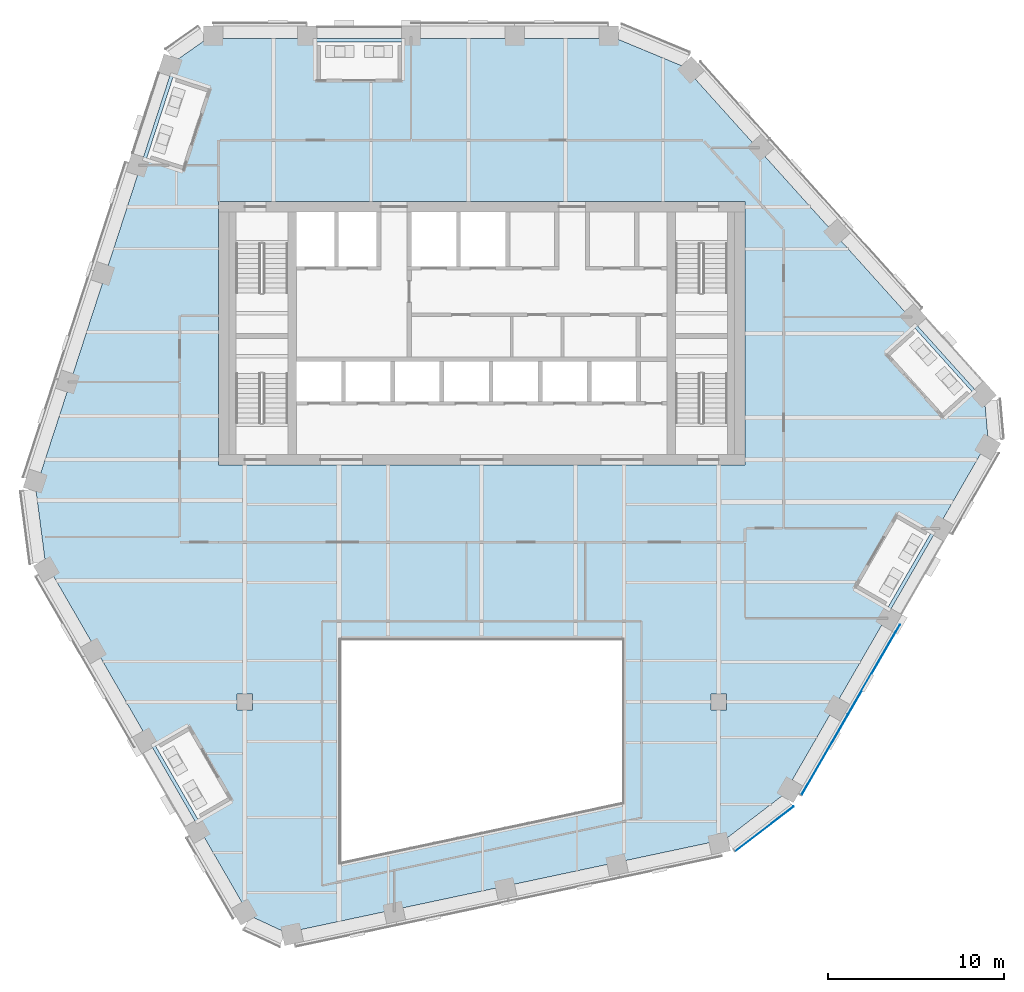
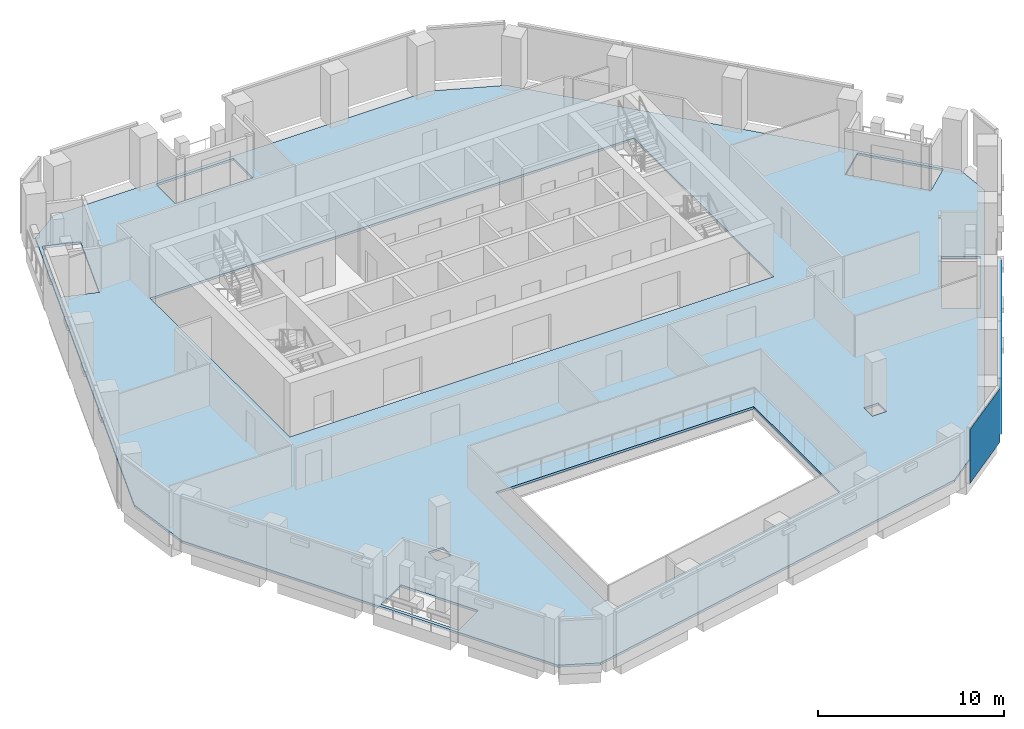
# One storey, part 12 of 25: 3 plates, 1 slab, 2 elements without a shape of their own.
"""IFC4 building model written with IfcOpenShell, lengths in metres."""

import ifcopenshell
import ifcopenshell.guid

model = None  # the IFC model being written
_history = None  # IfcOwnerHistory: only IFC2X3 demands one
_inside = {}  # id of a spatial element -> (the spatial element, [elements in it])
_under = {}  # id of a project, library or spatial element -> (it, [spatial elements below it])
_declared = {}  # id of a project -> (the project, [libraries it declares])
_typed = {}  # id of a type object -> (the type object, [elements of that type])
_made_of = {}  # id of a material, layer set ... -> (it, [elements and type objects made of it])


def new_model(schema):
    """Start an empty IFC model of exactly this schema.

    Asked for "IFC4X3", IfcOpenShell would pick the latest addendum, in which some entities
    have other attributes; the version numbers below select the first issue.
    IFC2X3 requires an IfcOwnerHistory on every rooted entity: one is made here for all.
    """
    global model, _history
    if schema == "IFC4X3":
        model = ifcopenshell.file(schema_version=(4, 3, 0, 0))
    else:
        model = ifcopenshell.file(schema=schema)
    _inside.clear()
    _under.clear()
    _declared.clear()
    _typed.clear()
    _made_of.clear()
    _history = None
    if model.schema == "IFC2X3":
        org = make("IfcOrganization", Name="unknown")
        user = make(
            "IfcPersonAndOrganization",
            ThePerson=make("IfcPerson", FamilyName="unknown"),
            TheOrganization=org,
        )
        app = make(
            "IfcApplication",
            ApplicationDeveloper=org,
            Version="unknown",
            ApplicationFullName="unknown",
            ApplicationIdentifier="unknown",
        )
        _history = make(
            "IfcOwnerHistory",
            OwningUser=user,
            OwningApplication=app,
            ChangeAction="ADDED",
            CreationDate=0,
        )
    return model


def make(cls, **values):
    """One entity of the class cls with the attributes given. An attribute that is None is left unset."""
    return model.create_entity(
        cls, **{name: value for name, value in values.items() if value is not None}
    )


def rooted(cls, **values):
    """An entity with a GlobalId (a new one), such as an element, a storey or a relation."""
    return make(cls, GlobalId=ifcopenshell.guid.new(), OwnerHistory=_history, **values)


def si_unit(unit_type, name, prefix=None):
    """IfcSIUnit, for example si_unit("LENGTHUNIT", "METRE", prefix="MILLI")."""
    return make("IfcSIUnit", UnitType=unit_type, Prefix=prefix, Name=name)


def assignment(units):
    """IfcUnitAssignment: the units of a project."""
    return None if units is None else make("IfcUnitAssignment", Units=units)


def point(xyz):
    """IfcCartesianPoint."""
    return None if xyz is None else make("IfcCartesianPoint", Coordinates=xyz)


def direction(xyz):
    """IfcDirection."""
    return None if xyz is None else make("IfcDirection", DirectionRatios=xyz)


def frame(location, z_axis=None, x_axis=None):
    """IfcAxis2Placement3D, a coordinate frame: its origin and axes. An axis left out is left unset."""
    return make(
        "IfcAxis2Placement3D",
        Location=point(location),
        Axis=direction(z_axis),
        RefDirection=direction(x_axis),
    )


def frame_2d(location, x_axis=None):
    """IfcAxis2Placement2D, a coordinate frame in the plane: its origin and x axis."""
    return make(
        "IfcAxis2Placement2D", Location=point(location), RefDirection=direction(x_axis)
    )


def origin():
    """The frame at (0, 0, 0) with its axes left unset."""
    return frame((0.0, 0.0, 0.0))


def origin_2d():
    """The frame at (0, 0) in the plane with its x axis left unset."""
    return frame_2d((0.0, 0.0))


def place(relative_to, where):
    """IfcLocalPlacement: puts the frame where relative to a parent placement (None: the world)."""
    return make(
        "IfcLocalPlacement", PlacementRelTo=relative_to, RelativePlacement=where
    )


def context(
    kind, dimensions, precision=None, world=None, true_north=None, identifier=None
):
    """IfcGeometricRepresentationContext, for example the 3D "Model" context."""
    return make(
        "IfcGeometricRepresentationContext",
        ContextIdentifier=identifier,
        ContextType=kind,
        CoordinateSpaceDimension=dimensions,
        Precision=precision,
        WorldCoordinateSystem=world,
        TrueNorth=true_north,
    )


def subcontext(parent, identifier, kind, view, scale=None):
    """IfcGeometricRepresentationSubContext, for example "Body" below "Model"."""
    return make(
        "IfcGeometricRepresentationSubContext",
        ContextIdentifier=identifier,
        ContextType=kind,
        ParentContext=parent,
        TargetScale=scale,
        TargetView=view,
    )


def project(units=None, contexts=None):
    """IfcProject with its units and contexts."""
    return rooted(
        "IfcProject",
        Name="project",
        RepresentationContexts=contexts,
        UnitsInContext=assignment(units),
    )


def spatial(cls, under=None, at=None, **own):
    """A site, building, storey or space (cls), placed at a placement, below another one or the project."""
    s = rooted(cls, ObjectPlacement=at, **own)
    if under is not None:
        _under.setdefault(under.id(), (under, []))[1].append(s)
    return s


def polyline(points):
    """IfcPolyline through the points."""
    return make("IfcPolyline", Points=[point(p) for p in points])


def profile(cls, at=None, kind="AREA", **sizes):
    """A parametric profile (cls). Its sizes go by their IFC names, for example OverallWidth=200.0."""
    return make(cls, ProfileType=kind, Position=at, **sizes)


def rectangle(**sizes):
    """IfcRectangleProfileDef."""
    return profile("IfcRectangleProfileDef", **sizes)


def outline(outer, holes=None, kind="AREA"):
    """IfcArbitraryClosedProfileDef: a profile drawn as a closed curve; with holes, ...WithVoids."""
    if holes is None:
        return make("IfcArbitraryClosedProfileDef", ProfileType=kind, OuterCurve=outer)
    return make(
        "IfcArbitraryProfileDefWithVoids",
        ProfileType=kind,
        OuterCurve=outer,
        InnerCurves=holes,
    )


def extrude(swept, where, along, depth):
    """IfcExtrudedAreaSolid: the profile swept, set in the frame where, extruded along a direction by depth."""
    return make(
        "IfcExtrudedAreaSolid",
        SweptArea=swept,
        Position=where,
        ExtrudedDirection=direction(along),
        Depth=depth,
    )


def shape(context_of_items, identifier, shape_type, items):
    """IfcShapeRepresentation: the items that make up one representation, for example the "Body"."""
    return make(
        "IfcShapeRepresentation",
        ContextOfItems=context_of_items,
        RepresentationIdentifier=identifier,
        RepresentationType=shape_type,
        Items=items,
    )


def material(Name=None, Category=None):
    """IfcMaterial."""
    return make("IfcMaterial", Name=Name, Category=Category)


def layer(
    of_material, thickness, ventilated=None, Name=None, Category=None, Priority=None
):
    """IfcMaterialLayer: one layer of a wall or slab, of a material (None: an air gap)."""
    return make(
        "IfcMaterialLayer",
        Material=of_material,
        LayerThickness=thickness,
        IsVentilated=ventilated,
        Name=Name,
        Category=Category,
        Priority=Priority,
    )


def layer_set(layers, Name=None):
    """IfcMaterialLayerSet."""
    return make("IfcMaterialLayerSet", MaterialLayers=layers, LayerSetName=Name)


def made_of(thing, what):
    """Note that an element or type object is made of a material, layer set ...; save() writes the relation."""
    if what is not None:
        _made_of.setdefault(what.id(), (what, []))[1].append(thing)
    return thing


def type_object(cls, material=None, **own):
    """A type object (cls), such as IfcWallType, which elements share."""
    return made_of(rooted(cls, **own), material)


def element(
    cls,
    number,
    at=None,
    inside=None,
    cuts=None,
    type_object=None,
    material=None,
    context=None,
    identifier="Body",
    shape_type=None,
    held_by="IfcProductDefinitionShape",
    body=None,
    shapes=None,
    **own,
):
    """One element of the class cls, such as IfcWall. Its Tag is "e" and its number.

    at: its placement. inside: the storey or other place that contains it. cuts: it is an
    opening in that element (IfcRelVoidsElement). A single representation is given by context,
    identifier, shape_type and body (its items); several are given by shapes. held_by: the class
    of the entity that holds the representations. save() writes the other relations.
    """
    e = rooted(cls, Tag="e%d" % number, ObjectPlacement=at, **own)
    if body is not None:
        shapes = [shape(context, identifier, shape_type, body)]
    if shapes is not None:
        e.Representation = make(held_by, Representations=shapes)
    if inside is not None:
        _inside.setdefault(inside.id(), (inside, []))[1].append(e)
    if cuts is not None:
        rooted(
            "IfcRelVoidsElement", RelatingBuildingElement=cuts, RelatedOpeningElement=e
        )
    if type_object is not None:
        _typed.setdefault(type_object.id(), (type_object, []))[1].append(e)
    return made_of(e, material)


def aggregate(whole, parts):
    """IfcRelAggregates: a whole, such as a stair, and the parts it consists of."""
    return rooted("IfcRelAggregates", RelatingObject=whole, RelatedObjects=parts)


def save(model, path):
    """Write the relations noted so far, then the file.

    IfcRelAggregates (storeys below a building ...), IfcRelContainedInSpatialStructure (elements
    in a storey), IfcRelDefinesByType, IfcRelAssociatesMaterial and IfcRelDeclares: one each for
    every whole, place, type object, material and project.
    """
    for whole, parts in _under.values():
        aggregate(whole, parts)
    for where, things in _inside.values():
        rooted(
            "IfcRelContainedInSpatialStructure",
            RelatedElements=things,
            RelatingStructure=where,
        )
    for kind, things in _typed.values():
        rooted("IfcRelDefinesByType", RelatedObjects=things, RelatingType=kind)
    for what, things in _made_of.values():
        rooted("IfcRelAssociatesMaterial", RelatedObjects=things, RelatingMaterial=what)
    for by, libraries in _declared.values():
        rooted("IfcRelDeclares", RelatingContext=by, RelatedDefinitions=libraries)
    model.write(path)


model = new_model("IFC4")

# Units and contexts
model_context = context("Model", 3, precision=1e-05, world=origin(), true_north=direction((0.0, 1.0)))
body_context = subcontext(model_context, "Body", "Model", "MODEL_VIEW")
ifc_project = project(units=[si_unit("LENGTHUNIT", "METRE"), si_unit("AREAUNIT", "SQUARE_METRE"), si_unit("VOLUMEUNIT", "CUBIC_METRE"), si_unit("PLANEANGLEUNIT", "RADIAN"), si_unit("MASSUNIT", "GRAM", prefix="KILO")], contexts=[model_context])

# Site, building, storey
site_placement = place(None, origin())
site = spatial("IfcSite", under=ifc_project, at=site_placement, CompositionType="ELEMENT")
building_placement = place(site_placement, origin())
building = spatial("IfcBuilding", under=site, at=building_placement, Name="Isthmus Gate Tower", CompositionType="ELEMENT")
storey_placement = place(building_placement, frame((0.0, 0.0, 249.14990234375)))
storey = spatial("IfcBuildingStorey", under=building, at=storey_placement, Name="L63", CompositionType="ELEMENT", Elevation=249.14990234375)

# Slab
ifc_material_1 = material(Name="Concrete f'c 40 MPa", Category="concrete")
ifc_layer_1 = layer(ifc_material_1, 0.14990234375)
ifc_layer_set_1 = layer_set([ifc_layer_1], Name="COMPOSITE FLOOR SLAB 150")
slab_type = type_object("IfcSlabType", Name="COMPOSITE FLOOR SLAB 150", PredefinedType="FLOOR", material=ifc_layer_set_1)
slab_placement = place(storey_placement, frame((0.0, 0.0, -0.14990234375)))
element("IfcSlab", 1, at=slab_placement, inside=storey, type_object=slab_type, Name="str-slab-L63-1", PredefinedType="FLOOR", context=body_context, shape_type="SweptSolid", body=[
    extrude(outline(polyline([(11.539794921875, 22.68310546875), (28.65380859375, 3.67626953125), (28.859375, 1.3857421875), (17.21875, -18.7763671875), (13.874267578125, -21.335205078125), (-11.143310546875, -26.65283203125), (-13.2294921875, -25.685791015625), (-24.8701171875, -5.523681640625), (-25.4140625, -1.347900390625), (-17.510498046875, 22.976806640625), (-15.629638671875, 24.300048828125), (7.6513671875, 24.300048828125), (11.539794921875, 22.68310546875)]), holes=[polyline([(-14.357177734375, -19.132568359375), (-16.762451171875, -14.966552734375), (-18.581298828125, -16.0166015625), (-16.17578125, -20.1826171875), (-14.357177734375, -19.132568359375)]), polyline([(8.0, -10.0), (-8.0, -10.0), (-8.0, -22.611083984375), (8.0, -19.210205078125), (8.0, -10.0)]), polyline([(-13.050048828125, -13.050048828125), (-13.949951171875, -13.050048828125), (-13.949951171875, -13.949951171875), (-13.050048828125, -13.949951171875), (-13.050048828125, -13.050048828125)]), polyline([(13.949951171875, -13.050048828125), (13.050048828125, -13.050048828125), (13.050048828125, -13.949951171875), (13.949951171875, -13.949951171875), (13.949951171875, -13.050048828125)]), polyline([(23.747802734375, -2.867431640625), (21.342529296875, -7.033447265625), (23.161376953125, -8.08349609375), (25.566650390625, -3.91748046875), (23.747802734375, -2.867431640625)]), polyline([(23.124755859375, 6.37939453125), (26.364501953125, 2.78125), (27.925048828125, 4.186279296875), (24.685302734375, 7.78466796875), (23.124755859375, 6.37939453125)]), polyline([(-15.0, 15.0), (-15.0, 0.0), (15.0, 0.0), (15.0, 15.0), (-15.0, 15.0)]), polyline([(-19.084228515625, 17.48583984375), (-17.087158203125, 16.8369140625), (-15.5908203125, 21.441650390625), (-17.588134765625, 22.0908203125), (-19.084228515625, 17.48583984375)]), polyline([(-9.390625, 24.10009765625), (-9.390625, 22.0), (-4.580078125, 22.0), (-4.580078125, 24.10009765625), (-9.390625, 24.10009765625)])]), origin(), (0.0, 0.0, 1.0), 0.14990234375),
])

# Curtain wall, plate
ifc_material_2 = material(Name="Aluminium, pale champagne anodised", Category="aluminium")
ifc_layer_2 = layer(ifc_material_2, 0.199951171875)
ifc_layer_set_2 = layer_set([ifc_layer_2], Name="CW-1 UNITISED CURTAIN WALL 200 DEEP")
curtain_wall_type = type_object("IfcCurtainWallType", Name="CW-1 UNITISED CURTAIN WALL 200 DEEP", PredefinedType="NOTDEFINED", material=ifc_layer_set_2)
curtain_wall_1_placement = place(storey_placement, origin())
curtain_wall_1 = element("IfcCurtainWall", 2, at=curtain_wall_1_placement, inside=storey, type_object=curtain_wall_type, Name="CW-1 S-SE L63", PredefinedType="NOTDEFINED")
ifc_material_3 = material(Name="Laminated low-iron glass, pale blue tint", Category="glass")
ifc_layer_3 = layer(ifc_material_3, 0.031982421875)
ifc_layer_set_3 = layer_set([ifc_layer_3], Name="CW-1 CLEAR GLASS LITE 32")
plate_type = type_object("IfcPlateType", Name="CW-1 CLEAR GLASS LITE 32", PredefinedType="CURTAIN_PANEL", material=ifc_layer_set_3)
plate_1_placement = place(storey_placement, frame((16.107421875, -20.73974609375, 0.0), z_axis=(0.0, 0.0, 1.0), x_axis=(0.794188594387, 0.607671355706, 0.0)))
plate_1 = element("IfcPlate", 3, at=plate_1_placement, type_object=plate_type, Name="CW-1 glass lite", PredefinedType="CURTAIN_PANEL", context=body_context, shape_type="SweptSolid", body=[
    extrude(rectangle(XDim=4.181396484375, YDim=0.031982421875, at=origin_2d()), origin(), (0.0, 0.0, 1.0), 3.52001953125),
])
aggregate(curtain_wall_1, [plate_1])

# Curtain wall, plates
curtain_wall_2_placement = place(storey_placement, origin())
curtain_wall_2 = element("IfcCurtainWall", 4, at=curtain_wall_2_placement, inside=storey, type_object=curtain_wall_type, Name="CW-1 SE L63", PredefinedType="NOTDEFINED")
plate_2_placement = place(storey_placement, frame((19.544677734375, -16.515869140625, 0.0), z_axis=(0.0, 0.0, 1.0), x_axis=(0.5, 0.866025403784, 0.0)))
plate_2 = element("IfcPlate", 5, at=plate_2_placement, type_object=plate_type, Name="CW-1 glass lite", PredefinedType="CURTAIN_PANEL", context=body_context, shape_type="SweptSolid", body=[
    extrude(rectangle(XDim=5.300537109375, YDim=0.031982421875, at=origin_2d()), origin(), (0.0, 0.0, 1.0), 3.52001953125),
])
plate_3_placement = place(storey_placement, frame((22.347412109375, -11.6611328125, 0.0), z_axis=(0.0, 0.0, 1.0), x_axis=(0.5, 0.866025403784, 0.0)))
plate_3 = element("IfcPlate", 6, at=plate_3_placement, type_object=plate_type, Name="CW-1 glass lite", PredefinedType="CURTAIN_PANEL", context=body_context, shape_type="SweptSolid", body=[
    extrude(rectangle(XDim=5.91064453125, YDim=0.031982421875, at=origin_2d()), origin(), (0.0, 0.0, 1.0), 3.52001953125),
])
aggregate(curtain_wall_2, [plate_2, plate_3])

save(model, "model.ifc")
